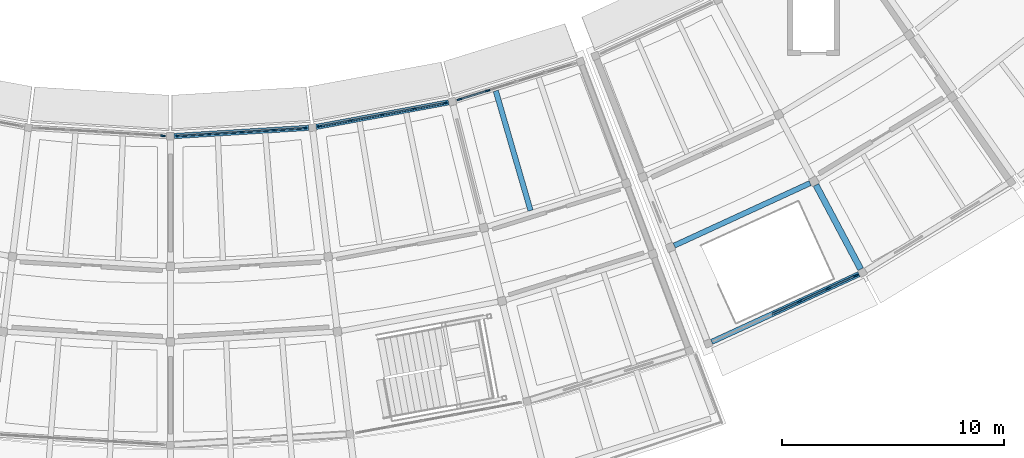
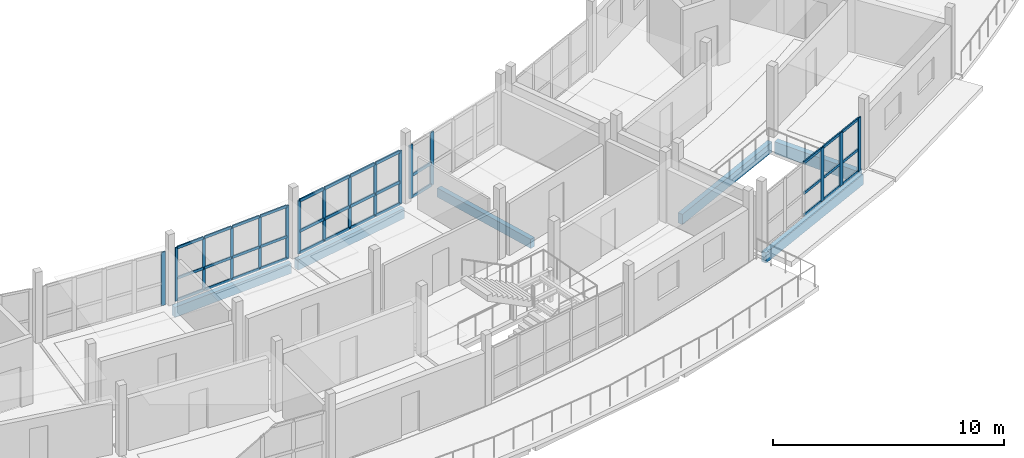
# One storey, part 12 of 24: 51 members, 6 beams, 5 elements without a shape of their own.
"""IFC4 building model written with IfcOpenShell, lengths in metres."""

from ifc_helpers import new_model, si_unit, direction, frame, origin, origin_2d, place, context, subcontext, project, spatial, rectangle, extrude, material, layer, layer_set, material_profile, profile_set, type_object, element, aggregate, save


model = new_model("IFC4")

# Units and contexts
model_context = context("Model", 3, precision=1e-05, world=origin(), true_north=direction((0.0, 1.0)))
body_context = subcontext(model_context, "Body", "Model", "MODEL_VIEW")
ifc_project = project(units=[si_unit("LENGTHUNIT", "METRE"), si_unit("AREAUNIT", "SQUARE_METRE"), si_unit("VOLUMEUNIT", "CUBIC_METRE"), si_unit("PLANEANGLEUNIT", "RADIAN"), si_unit("MASSUNIT", "GRAM", prefix="KILO")], contexts=[model_context])

# Site, building, storey
site_placement = place(None, origin())
site = spatial("IfcSite", under=ifc_project, at=site_placement, CompositionType="ELEMENT")
building_placement = place(site_placement, origin())
building = spatial("IfcBuilding", under=site, at=building_placement, Name="Caldaven Crescent School", CompositionType="ELEMENT")
storey_placement = place(building_placement, frame((0.0, 0.0, 15.639892578125)))
storey = spatial("IfcBuildingStorey", under=building, at=storey_placement, Name="L04", CompositionType="ELEMENT", Elevation=15.639892578125)

# Beams
ifc_material_1 = material(Name="Glulam MLE24h (GL28h)", Category="wood")
ifc_material_profile_1 = material_profile(ifc_material_1, rectangle(XDim=0.239990234375, YDim=0.5400390625, at=origin_2d()), Name="MLE 240x540")
ifc_profile_set_1 = profile_set([ifc_material_profile_1], Name="Glulam MLE24h (GL28h)")
beam_type_1 = type_object("IfcBeamType", Name="BM-GL54", PredefinedType="BEAM", material=ifc_profile_set_1)
beam_1_placement = place(storey_placement, frame((110.679931640625, 38.631103515625, -0.5), z_axis=(0.908536178151, 0.417806190703, 0.0), x_axis=(-0.417806190703, 0.908536178151, 0.0)))
element("IfcBeam", 1, at=beam_1_placement, inside=storey, type_object=beam_type_1, Name="BMT-V4E-L04-1640", PredefinedType="BEAM", context=body_context, shape_type="SweptSolid", body=[
    extrude(rectangle(XDim=0.239990234375, YDim=0.5400390625, at=origin_2d()), origin(), (0.0, 0.0, 1.0), 6.729248046875),
])
ifc_material_profile_2 = material_profile(ifc_material_1, rectangle(XDim=0.280029296875, YDim=0.6298828125, at=origin_2d()), Name="MLE 280x630")
ifc_profile_set_2 = profile_set([ifc_material_profile_2], Name="Glulam MLE24h (GL28h)")
beam_type_2 = type_object("IfcBeamType", Name="BM-GL63", PredefinedType="BEAM", material=ifc_profile_set_2)
beam_2_placement = place(storey_placement, frame((117.0556640625, 41.3544921875, -0.544921875), z_axis=(0.469475957357, -0.88294525621, 0.0), x_axis=(0.88294525621, 0.469475957357, 0.0)))
element("IfcBeam", 2, at=beam_2_placement, inside=storey, type_object=beam_type_2, Name="BMR-V4E-L04-1631", PredefinedType="BEAM", context=body_context, shape_type="SweptSolid", body=[
    extrude(rectangle(XDim=0.280029296875, YDim=0.6298828125, at=origin_2d()), origin(), (0.0, 0.0, 1.0), 4.284912109375),
])

# Curtain wall, members
ifc_material_2 = material(Name="Anodised aluminium AA 6063-T6 and low-E double glazing", Category="aluminium")
ifc_layer_1 = layer(ifc_material_2, 0.18994140625)
ifc_layer_set_1 = layer_set([ifc_layer_1], Name="Anodised aluminium AA 6063-T6 and low-E double glazing")
curtain_wall_type_1 = type_object("IfcCurtainWallType", Name="CW-SYS2", PredefinedType="NOTDEFINED", material=ifc_layer_set_1)
curtain_wall_1_placement = place(storey_placement, origin())
curtain_wall_1 = element("IfcCurtainWall", 3, at=curtain_wall_1_placement, inside=storey, type_object=curtain_wall_type_1, Name="CW-L04-173", PredefinedType="NOTDEFINED")
ifc_material_3 = material(Name="Anodised aluminium AA 6063-T6", Category="aluminium")
ifc_material_profile_3 = material_profile(ifc_material_3, rectangle(XDim=0.06005859375, YDim=0.14990234375, at=origin_2d()), Name="CWM 60x150")
ifc_profile_set_3 = profile_set([ifc_material_profile_3], Name="Anodised aluminium AA 6063-T6")
member_type_1 = type_object("IfcMemberType", Name="CWM-T1", PredefinedType="MULLION", material=ifc_profile_set_3)
member_1_placement = place(storey_placement, frame((88.329345703125, 43.570068359375, 0.0), z_axis=(0.0, 0.0, 1.0), x_axis=(-0.061049319496, 0.998134750717, 0.0)))
member_1 = element("IfcMember", 4, at=member_1_placement, type_object=member_type_1, Name="CW2 mullion 1", PredefinedType="MULLION", context=body_context, shape_type="SweptSolid", body=[
    extrude(rectangle(XDim=0.06005859375, YDim=0.14990234375, at=origin_2d()), origin(), (0.0, 0.0, 1.0), 2.820068359375),
])
member_2_placement = place(storey_placement, frame((89.747802734375, 43.656982421875, 0.0), z_axis=(0.0, 0.0, 1.0), x_axis=(-0.061049319496, 0.998134750717, 0.0)))
member_2 = element("IfcMember", 5, at=member_2_placement, type_object=member_type_1, Name="CW2 mullion 2", PredefinedType="MULLION", context=body_context, shape_type="SweptSolid", body=[
    extrude(rectangle(XDim=0.06005859375, YDim=0.14990234375, at=origin_2d()), origin(), (0.0, 0.0, 1.0), 2.820068359375),
])
member_3_placement = place(storey_placement, frame((91.196044921875, 43.745361328125, 0.0), z_axis=(0.0, 0.0, 1.0), x_axis=(-0.061049319496, 0.998134750717, 0.0)))
member_3 = element("IfcMember", 6, at=member_3_placement, type_object=member_type_1, Name="CW2 mullion 3", PredefinedType="MULLION", context=body_context, shape_type="SweptSolid", body=[
    extrude(rectangle(XDim=0.06005859375, YDim=0.14990234375, at=origin_2d()), origin(), (0.0, 0.0, 1.0), 2.820068359375),
])
member_4_placement = place(storey_placement, frame((92.644287109375, 43.833984375, 0.0), z_axis=(0.0, 0.0, 1.0), x_axis=(-0.061049319496, 0.998134750717, 0.0)))
member_4 = element("IfcMember", 7, at=member_4_placement, type_object=member_type_1, Name="CW2 mullion 4", PredefinedType="MULLION", context=body_context, shape_type="SweptSolid", body=[
    extrude(rectangle(XDim=0.06005859375, YDim=0.14990234375, at=origin_2d()), origin(), (0.0, 0.0, 1.0), 2.820068359375),
])
member_5_placement = place(storey_placement, frame((94.062744140625, 43.9208984375, 0.0), z_axis=(0.0, 0.0, 1.0), x_axis=(-0.061049319496, 0.998134750717, 0.0)))
member_5 = element("IfcMember", 8, at=member_5_placement, type_object=member_type_1, Name="CW2 mullion 5", PredefinedType="MULLION", context=body_context, shape_type="SweptSolid", body=[
    extrude(rectangle(XDim=0.06005859375, YDim=0.14990234375, at=origin_2d()), origin(), (0.0, 0.0, 1.0), 2.820068359375),
])

ifc_layer_2 = layer(ifc_material_2, 0.2099609375)
ifc_layer_set_2 = layer_set([ifc_layer_2], Name="Anodised aluminium AA 6063-T6 and low-E double glazing")
curtain_wall_type_2 = type_object("IfcCurtainWallType", Name="CW-SYS3", PredefinedType="NOTDEFINED", material=ifc_layer_set_2)
curtain_wall_2_placement = place(storey_placement, origin())
curtain_wall_2 = element("IfcCurtainWall", 9, at=curtain_wall_2_placement, inside=storey, type_object=curtain_wall_type_2, Name="CW-L04-174", PredefinedType="NOTDEFINED")
ifc_material_profile_4 = material_profile(ifc_material_3, rectangle(XDim=0.06494140625, YDim=0.179931640625, at=origin_2d()), Name="CWM 65x180")
ifc_profile_set_4 = profile_set([ifc_material_profile_4], Name="Anodised aluminium AA 6063-T6")
member_type_2 = type_object("IfcMemberType", Name="CWM-T2", PredefinedType="MULLION", material=ifc_profile_set_4)
member_6_placement = place(storey_placement, frame((94.718994140625, 44.00146484375, 0.0), z_axis=(0.0, 0.0, 1.0), x_axis=(-0.182236405836, 0.983254744401, 0.0)))
member_6 = element("IfcMember", 10, at=member_6_placement, type_object=member_type_2, Name="CW3 mullion 1", PredefinedType="MULLION", context=body_context, shape_type="SweptSolid", body=[
    extrude(rectangle(XDim=0.06494140625, YDim=0.179931640625, at=origin_2d()), origin(), (0.0, 0.0, 1.0), 2.820068359375),
])
member_7_placement = place(storey_placement, frame((96.11376953125, 44.260009765625, 0.0), z_axis=(0.0, 0.0, 1.0), x_axis=(-0.182236405836, 0.983254744401, 0.0)))
member_7 = element("IfcMember", 11, at=member_7_placement, type_object=member_type_2, Name="CW3 mullion 2", PredefinedType="MULLION", context=body_context, shape_type="SweptSolid", body=[
    extrude(rectangle(XDim=0.06494140625, YDim=0.179931640625, at=origin_2d()), origin(), (0.0, 0.0, 1.0), 2.820068359375),
])
member_8_placement = place(storey_placement, frame((97.54052734375, 44.5244140625, 0.0), z_axis=(0.0, 0.0, 1.0), x_axis=(-0.182236405836, 0.983254744401, 0.0)))
member_8 = element("IfcMember", 12, at=member_8_placement, type_object=member_type_2, Name="CW3 mullion 3", PredefinedType="MULLION", context=body_context, shape_type="SweptSolid", body=[
    extrude(rectangle(XDim=0.06494140625, YDim=0.179931640625, at=origin_2d()), origin(), (0.0, 0.0, 1.0), 2.820068359375),
])
member_9_placement = place(storey_placement, frame((98.967041015625, 44.788818359375, 0.0), z_axis=(0.0, 0.0, 1.0), x_axis=(-0.182236405836, 0.983254744401, 0.0)))
member_9 = element("IfcMember", 13, at=member_9_placement, type_object=member_type_2, Name="CW3 mullion 4", PredefinedType="MULLION", context=body_context, shape_type="SweptSolid", body=[
    extrude(rectangle(XDim=0.06494140625, YDim=0.179931640625, at=origin_2d()), origin(), (0.0, 0.0, 1.0), 2.820068359375),
])
member_10_placement = place(storey_placement, frame((100.36181640625, 45.04736328125, 0.0), z_axis=(0.0, 0.0, 1.0), x_axis=(-0.182236405836, 0.983254744401, 0.0)))
member_10 = element("IfcMember", 14, at=member_10_placement, type_object=member_type_2, Name="CW3 mullion 5", PredefinedType="MULLION", context=body_context, shape_type="SweptSolid", body=[
    extrude(rectangle(XDim=0.06494140625, YDim=0.179931640625, at=origin_2d()), origin(), (0.0, 0.0, 1.0), 2.820068359375),
])

# Curtain wall, member
ifc_layer_3 = layer(ifc_material_2, 0.169921875)
ifc_layer_set_3 = layer_set([ifc_layer_3], Name="Anodised aluminium AA 6063-T6 and low-E double glazing")
curtain_wall_type_3 = type_object("IfcCurtainWallType", Name="CW-SYS1", PredefinedType="NOTDEFINED", material=ifc_layer_set_3)
curtain_wall_3_placement = place(storey_placement, origin())
curtain_wall_3 = element("IfcCurtainWall", 15, at=curtain_wall_3_placement, inside=storey, type_object=curtain_wall_type_3, Name="CW-L04-171", PredefinedType="NOTDEFINED")
ifc_material_profile_5 = material_profile(ifc_material_3, rectangle(XDim=0.070068359375, YDim=0.2099609375, at=origin_2d()), Name="CWM 70x210")
ifc_profile_set_5 = profile_set([ifc_material_profile_5], Name="Anodised aluminium AA 6063-T6")
member_type_3 = type_object("IfcMemberType", Name="CWM-T3", PredefinedType="MULLION", material=ifc_profile_set_5)
member_11_placement = place(storey_placement, frame((87.66552734375, 43.570556640625, 0.0), z_axis=(0.0, 0.0, 1.0), x_axis=(0.061049319496, 0.998134750717, 0.0)))
member_11 = element("IfcMember", 16, at=member_11_placement, type_object=member_type_3, Name="CW1 mullion 5", PredefinedType="MULLION", context=body_context, shape_type="SweptSolid", body=[
    extrude(rectangle(XDim=0.070068359375, YDim=0.2099609375, at=origin_2d()), origin(), (0.0, 0.0, 1.0), 2.820068359375),
])
aggregate(curtain_wall_3, [member_11])

# Curtain wall, members
ifc_layer_4 = layer(ifc_material_2, 0.22998046875)
ifc_layer_set_4 = layer_set([ifc_layer_4], Name="Anodised aluminium AA 6063-T6 and low-E double glazing")
curtain_wall_type_4 = type_object("IfcCurtainWallType", Name="CW-SYS4", PredefinedType="NOTDEFINED", material=ifc_layer_set_4)
curtain_wall_4_placement = place(storey_placement, origin())
curtain_wall_4 = element("IfcCurtainWall", 17, at=curtain_wall_4_placement, inside=storey, type_object=curtain_wall_type_4, Name="CW-L04-176", PredefinedType="NOTDEFINED")
member_12_placement = place(storey_placement, frame((101.008544921875, 45.20751953125, 0.0), z_axis=(0.0, 0.0, 1.0), x_axis=(-0.297419758694, 0.954746818344, 0.0)))
member_12 = element("IfcMember", 18, at=member_12_placement, type_object=member_type_3, Name="CW4 mullion 1", PredefinedType="MULLION", context=body_context, shape_type="SweptSolid", body=[
    extrude(rectangle(XDim=0.070068359375, YDim=0.2099609375, at=origin_2d()), origin(), (0.0, 0.0, 1.0), 2.820068359375),
])
member_13_placement = place(storey_placement, frame((102.2744140625, 45.60205078125, 0.0), z_axis=(0.0, 0.0, 1.0), x_axis=(-0.297419758694, 0.954746818344, 0.0)))
member_13 = element("IfcMember", 19, at=member_13_placement, type_object=member_type_3, Name="CW4 mullion 2", PredefinedType="MULLION", context=body_context, shape_type="SweptSolid", body=[
    extrude(rectangle(XDim=0.070068359375, YDim=0.2099609375, at=origin_2d()), origin(), (0.0, 0.0, 1.0), 2.820068359375),
])

curtain_wall_5_placement = place(storey_placement, origin())
curtain_wall_5 = element("IfcCurtainWall", 20, at=curtain_wall_5_placement, inside=storey, type_object=curtain_wall_type_2, Name="CW-L04-178", PredefinedType="NOTDEFINED")
member_14_placement = place(storey_placement, frame((116.316650390625, 36.113525390625, 0.0), z_axis=(0.0, 0.0, 1.0), x_axis=(-0.417823271449, 0.908528323078, 0.0)))
member_14 = element("IfcMember", 21, at=member_14_placement, type_object=member_type_3, Name="CW3 mullion 4", PredefinedType="MULLION", context=body_context, shape_type="SweptSolid", body=[
    extrude(rectangle(XDim=0.070068359375, YDim=0.2099609375, at=origin_2d()), origin(), (0.0, 0.0, 1.0), 2.820068359375),
])
member_15_placement = place(storey_placement, frame((117.5966796875, 36.702392578125, 0.0), z_axis=(0.0, 0.0, 1.0), x_axis=(-0.417823271449, 0.908528323078, 0.0)))
member_15 = element("IfcMember", 22, at=member_15_placement, type_object=member_type_3, Name="CW3 mullion 5", PredefinedType="MULLION", context=body_context, shape_type="SweptSolid", body=[
    extrude(rectangle(XDim=0.070068359375, YDim=0.2099609375, at=origin_2d()), origin(), (0.0, 0.0, 1.0), 2.820068359375),
])
member_16_placement = place(storey_placement, frame((118.844970703125, 37.2763671875, 0.0), z_axis=(0.0, 0.0, 1.0), x_axis=(-0.417823271449, 0.908528323078, 0.0)))
member_16 = element("IfcMember", 23, at=member_16_placement, type_object=member_type_3, Name="CW3 mullion 6", PredefinedType="MULLION", context=body_context, shape_type="SweptSolid", body=[
    extrude(rectangle(XDim=0.070068359375, YDim=0.2099609375, at=origin_2d()), origin(), (0.0, 0.0, 1.0), 2.820068359375),
])

# Member
ifc_material_profile_6 = material_profile(ifc_material_3, rectangle(XDim=0.06494140625, YDim=0.139892578125, at=origin_2d()), Name="CWT 65x140")
ifc_profile_set_6 = profile_set([ifc_material_profile_6], Name="Anodised aluminium AA 6063-T6")
member_type_4 = type_object("IfcMemberType", Name="CWT-T2", PredefinedType="USERDEFINED", material=ifc_profile_set_6)
member_17_placement = place(storey_placement, frame((88.359375, 43.572021484375, 0.03271484375), z_axis=(0.998138172654, 0.06099334628, 0.0), x_axis=(-0.06099334628, 0.998138172654, 0.0)))
member_17 = element("IfcMember", 24, at=member_17_placement, type_object=member_type_4, Name="CW2 transom 1.1", ObjectType="TRANSOM", PredefinedType="USERDEFINED", context=body_context, shape_type="SweptSolid", body=[
    extrude(rectangle(XDim=0.06494140625, YDim=0.139892578125, at=origin_2d()), origin(), (0.0, 0.0, 1.0), 1.36083984375),
])

member_18_placement = place(storey_placement, frame((88.359375, 43.572021484375, 1.18408203125), z_axis=(0.998138172654, 0.06099334628, 0.0), x_axis=(-0.06099334628, 0.998138172654, 0.0)))
member_18 = element("IfcMember", 25, at=member_18_placement, type_object=member_type_4, Name="CW2 transom 1.2", ObjectType="TRANSOM", PredefinedType="USERDEFINED", context=body_context, shape_type="SweptSolid", body=[
    extrude(rectangle(XDim=0.06494140625, YDim=0.139892578125, at=origin_2d()), origin(), (0.0, 0.0, 1.0), 1.36083984375),
])

member_19_placement = place(storey_placement, frame((88.359375, 43.572021484375, 2.78759765625), z_axis=(0.998138172654, 0.06099334628, 0.0), x_axis=(-0.06099334628, 0.998138172654, 0.0)))
member_19 = element("IfcMember", 26, at=member_19_placement, type_object=member_type_4, Name="CW2 transom 1.3", ObjectType="TRANSOM", PredefinedType="USERDEFINED", context=body_context, shape_type="SweptSolid", body=[
    extrude(rectangle(XDim=0.06494140625, YDim=0.139892578125, at=origin_2d()), origin(), (0.0, 0.0, 1.0), 1.36083984375),
])

member_20_placement = place(storey_placement, frame((89.777587890625, 43.65869140625, 0.03271484375), z_axis=(0.998132999358, 0.061077946857, 0.0), x_axis=(-0.061077946857, 0.998132999358, 0.0)))
member_20 = element("IfcMember", 27, at=member_20_placement, type_object=member_type_4, Name="CW2 transom 2.1", ObjectType="TRANSOM", PredefinedType="USERDEFINED", context=body_context, shape_type="SweptSolid", body=[
    extrude(rectangle(XDim=0.06494140625, YDim=0.139892578125, at=origin_2d()), origin(), (0.0, 0.0, 1.0), 1.39111328125),
])

member_21_placement = place(storey_placement, frame((89.777587890625, 43.65869140625, 1.18408203125), z_axis=(0.998132999358, 0.061077946857, 0.0), x_axis=(-0.061077946857, 0.998132999358, 0.0)))
member_21 = element("IfcMember", 28, at=member_21_placement, type_object=member_type_4, Name="CW2 transom 2.2", ObjectType="TRANSOM", PredefinedType="USERDEFINED", context=body_context, shape_type="SweptSolid", body=[
    extrude(rectangle(XDim=0.06494140625, YDim=0.139892578125, at=origin_2d()), origin(), (0.0, 0.0, 1.0), 1.39111328125),
])

member_22_placement = place(storey_placement, frame((89.777587890625, 43.65869140625, 2.78759765625), z_axis=(0.998132999358, 0.061077946857, 0.0), x_axis=(-0.061077946857, 0.998132999358, 0.0)))
member_22 = element("IfcMember", 29, at=member_22_placement, type_object=member_type_4, Name="CW2 transom 2.3", ObjectType="TRANSOM", PredefinedType="USERDEFINED", context=body_context, shape_type="SweptSolid", body=[
    extrude(rectangle(XDim=0.06494140625, YDim=0.139892578125, at=origin_2d()), origin(), (0.0, 0.0, 1.0), 1.39111328125),
])

member_23_placement = place(storey_placement, frame((91.22607421875, 43.747314453125, 0.03271484375), z_axis=(0.998132344438, 0.061088648587, 0.0), x_axis=(-0.061088648587, 0.998132344438, 0.0)))
member_23 = element("IfcMember", 30, at=member_23_placement, type_object=member_type_4, Name="CW2 transom 3.1", ObjectType="TRANSOM", PredefinedType="USERDEFINED", context=body_context, shape_type="SweptSolid", body=[
    extrude(rectangle(XDim=0.06494140625, YDim=0.139892578125, at=origin_2d()), origin(), (0.0, 0.0, 1.0), 1.390869140625),
])

member_24_placement = place(storey_placement, frame((91.22607421875, 43.747314453125, 1.18408203125), z_axis=(0.998132344438, 0.061088648587, 0.0), x_axis=(-0.061088648587, 0.998132344438, 0.0)))
member_24 = element("IfcMember", 31, at=member_24_placement, type_object=member_type_4, Name="CW2 transom 3.2", ObjectType="TRANSOM", PredefinedType="USERDEFINED", context=body_context, shape_type="SweptSolid", body=[
    extrude(rectangle(XDim=0.06494140625, YDim=0.139892578125, at=origin_2d()), origin(), (0.0, 0.0, 1.0), 1.390869140625),
])

member_25_placement = place(storey_placement, frame((91.22607421875, 43.747314453125, 2.78759765625), z_axis=(0.998132344438, 0.061088648587, 0.0), x_axis=(-0.061088648587, 0.998132344438, 0.0)))
member_25 = element("IfcMember", 32, at=member_25_placement, type_object=member_type_4, Name="CW2 transom 3.3", ObjectType="TRANSOM", PredefinedType="USERDEFINED", context=body_context, shape_type="SweptSolid", body=[
    extrude(rectangle(XDim=0.06494140625, YDim=0.139892578125, at=origin_2d()), origin(), (0.0, 0.0, 1.0), 1.390869140625),
])

member_26_placement = place(storey_placement, frame((92.67431640625, 43.8359375, 0.03271484375), z_axis=(0.998138172654, 0.06099334628, 0.0), x_axis=(-0.06099334628, 0.998138172654, 0.0)))
member_26 = element("IfcMember", 33, at=member_26_placement, type_object=member_type_4, Name="CW2 transom 4.1", ObjectType="TRANSOM", PredefinedType="USERDEFINED", context=body_context, shape_type="SweptSolid", body=[
    extrude(rectangle(XDim=0.06494140625, YDim=0.139892578125, at=origin_2d()), origin(), (0.0, 0.0, 1.0), 1.36083984375),
])

member_27_placement = place(storey_placement, frame((92.67431640625, 43.8359375, 1.18408203125), z_axis=(0.998138172654, 0.06099334628, 0.0), x_axis=(-0.06099334628, 0.998138172654, 0.0)))
member_27 = element("IfcMember", 34, at=member_27_placement, type_object=member_type_4, Name="CW2 transom 4.2", ObjectType="TRANSOM", PredefinedType="USERDEFINED", context=body_context, shape_type="SweptSolid", body=[
    extrude(rectangle(XDim=0.06494140625, YDim=0.139892578125, at=origin_2d()), origin(), (0.0, 0.0, 1.0), 1.36083984375),
])

member_28_placement = place(storey_placement, frame((92.67431640625, 43.8359375, 2.78759765625), z_axis=(0.998138172654, 0.06099334628, 0.0), x_axis=(-0.06099334628, 0.998138172654, 0.0)))
member_28 = element("IfcMember", 35, at=member_28_placement, type_object=member_type_4, Name="CW2 transom 4.3", ObjectType="TRANSOM", PredefinedType="USERDEFINED", context=body_context, shape_type="SweptSolid", body=[
    extrude(rectangle(XDim=0.06494140625, YDim=0.139892578125, at=origin_2d()), origin(), (0.0, 0.0, 1.0), 1.36083984375),
])

aggregate(curtain_wall_1, [member_1, member_2, member_3, member_4, member_5, member_17, member_18, member_19, member_20, member_21, member_22, member_23, member_24, member_25, member_26, member_27, member_28])

member_29_placement = place(storey_placement, frame((115.068359375, 35.53955078125, 0.03271484375), z_axis=(0.908502911944, 0.417878521809, 0.0), x_axis=(-0.417878521809, 0.908502911944, 0.0)))
member_29 = element("IfcMember", 36, at=member_29_placement, type_object=member_type_4, Name="CW3 transom 3.1", ObjectType="TRANSOM", PredefinedType="USERDEFINED", context=body_context, shape_type="SweptSolid", body=[
    extrude(rectangle(XDim=0.06494140625, YDim=0.139892578125, at=origin_2d()), origin(), (0.0, 0.0, 1.0), 1.339111328125),
])

member_30_placement = place(storey_placement, frame((115.068359375, 35.53955078125, 1.18408203125), z_axis=(0.908502911944, 0.417878521809, 0.0), x_axis=(-0.417878521809, 0.908502911944, 0.0)))
member_30 = element("IfcMember", 37, at=member_30_placement, type_object=member_type_4, Name="CW3 transom 3.2", ObjectType="TRANSOM", PredefinedType="USERDEFINED", context=body_context, shape_type="SweptSolid", body=[
    extrude(rectangle(XDim=0.06494140625, YDim=0.139892578125, at=origin_2d()), origin(), (0.0, 0.0, 1.0), 1.339111328125),
])

member_31_placement = place(storey_placement, frame((115.068359375, 35.53955078125, 2.78759765625), z_axis=(0.908502911944, 0.417878521809, 0.0), x_axis=(-0.417878521809, 0.908502911944, 0.0)))
member_31 = element("IfcMember", 38, at=member_31_placement, type_object=member_type_4, Name="CW3 transom 3.3", ObjectType="TRANSOM", PredefinedType="USERDEFINED", context=body_context, shape_type="SweptSolid", body=[
    extrude(rectangle(XDim=0.06494140625, YDim=0.139892578125, at=origin_2d()), origin(), (0.0, 0.0, 1.0), 1.339111328125),
])

member_32_placement = place(storey_placement, frame((116.348388671875, 36.128173828125, 0.03271484375), z_axis=(0.908502911944, 0.417878521809, 0.0), x_axis=(-0.417878521809, 0.908502911944, 0.0)))
member_32 = element("IfcMember", 39, at=member_32_placement, type_object=member_type_4, Name="CW3 transom 4.1", ObjectType="TRANSOM", PredefinedType="USERDEFINED", context=body_context, shape_type="SweptSolid", body=[
    extrude(rectangle(XDim=0.06494140625, YDim=0.139892578125, at=origin_2d()), origin(), (0.0, 0.0, 1.0), 1.339111328125),
])

member_33_placement = place(storey_placement, frame((116.348388671875, 36.128173828125, 1.18408203125), z_axis=(0.908502911944, 0.417878521809, 0.0), x_axis=(-0.417878521809, 0.908502911944, 0.0)))
member_33 = element("IfcMember", 40, at=member_33_placement, type_object=member_type_4, Name="CW3 transom 4.2", ObjectType="TRANSOM", PredefinedType="USERDEFINED", context=body_context, shape_type="SweptSolid", body=[
    extrude(rectangle(XDim=0.06494140625, YDim=0.139892578125, at=origin_2d()), origin(), (0.0, 0.0, 1.0), 1.339111328125),
])

member_34_placement = place(storey_placement, frame((116.348388671875, 36.128173828125, 2.78759765625), z_axis=(0.908502911944, 0.417878521809, 0.0), x_axis=(-0.417878521809, 0.908502911944, 0.0)))
member_34 = element("IfcMember", 41, at=member_34_placement, type_object=member_type_4, Name="CW3 transom 4.3", ObjectType="TRANSOM", PredefinedType="USERDEFINED", context=body_context, shape_type="SweptSolid", body=[
    extrude(rectangle(XDim=0.06494140625, YDim=0.139892578125, at=origin_2d()), origin(), (0.0, 0.0, 1.0), 1.339111328125),
])

member_35_placement = place(storey_placement, frame((117.628662109375, 36.717041015625, 0.03271484375), z_axis=(0.908555847498, 0.417763416275, 0.0), x_axis=(-0.417763416275, 0.908555847498, 0.0)))
member_35 = element("IfcMember", 42, at=member_35_placement, type_object=member_type_4, Name="CW3 transom 5.1", ObjectType="TRANSOM", PredefinedType="USERDEFINED", context=body_context, shape_type="SweptSolid", body=[
    extrude(rectangle(XDim=0.06494140625, YDim=0.139892578125, at=origin_2d()), origin(), (0.0, 0.0, 1.0), 1.3037109375),
])

member_36_placement = place(storey_placement, frame((117.628662109375, 36.717041015625, 1.18408203125), z_axis=(0.908555847498, 0.417763416275, 0.0), x_axis=(-0.417763416275, 0.908555847498, 0.0)))
member_36 = element("IfcMember", 43, at=member_36_placement, type_object=member_type_4, Name="CW3 transom 5.2", ObjectType="TRANSOM", PredefinedType="USERDEFINED", context=body_context, shape_type="SweptSolid", body=[
    extrude(rectangle(XDim=0.06494140625, YDim=0.139892578125, at=origin_2d()), origin(), (0.0, 0.0, 1.0), 1.3037109375),
])

member_37_placement = place(storey_placement, frame((117.628662109375, 36.717041015625, 2.78759765625), z_axis=(0.908555847498, 0.417763416275, 0.0), x_axis=(-0.417763416275, 0.908555847498, 0.0)))
member_37 = element("IfcMember", 44, at=member_37_placement, type_object=member_type_4, Name="CW3 transom 5.3", ObjectType="TRANSOM", PredefinedType="USERDEFINED", context=body_context, shape_type="SweptSolid", body=[
    extrude(rectangle(XDim=0.06494140625, YDim=0.139892578125, at=origin_2d()), origin(), (0.0, 0.0, 1.0), 1.3037109375),
])

aggregate(curtain_wall_5, [member_14, member_15, member_16, member_29, member_30, member_31, member_32, member_33, member_34, member_35, member_36, member_37])

ifc_material_profile_7 = material_profile(ifc_material_3, rectangle(XDim=0.070068359375, YDim=0.159912109375, at=origin_2d()), Name="CWT 70x160")
ifc_profile_set_7 = profile_set([ifc_material_profile_7], Name="Anodised aluminium AA 6063-T6")
member_type_5 = type_object("IfcMemberType", Name="CWT-T3", PredefinedType="USERDEFINED", material=ifc_profile_set_7)
member_38_placement = place(storey_placement, frame((94.7509765625, 44.007568359375, 0.03515625), z_axis=(0.983264057672, 0.182186149009, 0.0), x_axis=(-0.182186149009, 0.983264057672, 0.0)))
member_38 = element("IfcMember", 45, at=member_38_placement, type_object=member_type_5, Name="CW3 transom 1.1", ObjectType="TRANSOM", PredefinedType="USERDEFINED", context=body_context, shape_type="SweptSolid", body=[
    extrude(rectangle(XDim=0.070068359375, YDim=0.159912109375, at=origin_2d()), origin(), (0.0, 0.0, 1.0), 1.353515625),
])

member_39_placement = place(storey_placement, frame((94.7509765625, 44.007568359375, 1.18408203125), z_axis=(0.983264057672, 0.182186149009, 0.0), x_axis=(-0.182186149009, 0.983264057672, 0.0)))
member_39 = element("IfcMember", 46, at=member_39_placement, type_object=member_type_5, Name="CW3 transom 1.2", ObjectType="TRANSOM", PredefinedType="USERDEFINED", context=body_context, shape_type="SweptSolid", body=[
    extrude(rectangle(XDim=0.070068359375, YDim=0.159912109375, at=origin_2d()), origin(), (0.0, 0.0, 1.0), 1.353515625),
])

member_40_placement = place(storey_placement, frame((94.7509765625, 44.007568359375, 2.78515625), z_axis=(0.983264057672, 0.182186149009, 0.0), x_axis=(-0.182186149009, 0.983264057672, 0.0)))
member_40 = element("IfcMember", 47, at=member_40_placement, type_object=member_type_5, Name="CW3 transom 1.3", ObjectType="TRANSOM", PredefinedType="USERDEFINED", context=body_context, shape_type="SweptSolid", body=[
    extrude(rectangle(XDim=0.070068359375, YDim=0.159912109375, at=origin_2d()), origin(), (0.0, 0.0, 1.0), 1.353515625),
])

member_41_placement = place(storey_placement, frame((96.145751953125, 44.265869140625, 0.03515625), z_axis=(0.983241097753, 0.182310020812, 0.0), x_axis=(-0.182310020812, 0.983241097753, 0.0)))
member_41 = element("IfcMember", 48, at=member_41_placement, type_object=member_type_5, Name="CW3 transom 2.1", ObjectType="TRANSOM", PredefinedType="USERDEFINED", context=body_context, shape_type="SweptSolid", body=[
    extrude(rectangle(XDim=0.070068359375, YDim=0.159912109375, at=origin_2d()), origin(), (0.0, 0.0, 1.0), 1.385986328125),
])

member_42_placement = place(storey_placement, frame((96.145751953125, 44.265869140625, 1.18408203125), z_axis=(0.983241097753, 0.182310020812, 0.0), x_axis=(-0.182310020812, 0.983241097753, 0.0)))
member_42 = element("IfcMember", 49, at=member_42_placement, type_object=member_type_5, Name="CW3 transom 2.2", ObjectType="TRANSOM", PredefinedType="USERDEFINED", context=body_context, shape_type="SweptSolid", body=[
    extrude(rectangle(XDim=0.070068359375, YDim=0.159912109375, at=origin_2d()), origin(), (0.0, 0.0, 1.0), 1.385986328125),
])

member_43_placement = place(storey_placement, frame((96.145751953125, 44.265869140625, 2.78515625), z_axis=(0.983241097753, 0.182310020812, 0.0), x_axis=(-0.182310020812, 0.983241097753, 0.0)))
member_43 = element("IfcMember", 50, at=member_43_placement, type_object=member_type_5, Name="CW3 transom 2.3", ObjectType="TRANSOM", PredefinedType="USERDEFINED", context=body_context, shape_type="SweptSolid", body=[
    extrude(rectangle(XDim=0.070068359375, YDim=0.159912109375, at=origin_2d()), origin(), (0.0, 0.0, 1.0), 1.385986328125),
])

member_44_placement = place(storey_placement, frame((97.572265625, 44.5302734375, 0.03515625), z_axis=(0.983241097753, 0.182310020812, 0.0), x_axis=(-0.182310020812, 0.983241097753, 0.0)))
member_44 = element("IfcMember", 51, at=member_44_placement, type_object=member_type_5, Name="CW3 transom 3.1", ObjectType="TRANSOM", PredefinedType="USERDEFINED", context=body_context, shape_type="SweptSolid", body=[
    extrude(rectangle(XDim=0.070068359375, YDim=0.159912109375, at=origin_2d()), origin(), (0.0, 0.0, 1.0), 1.385986328125),
])

member_45_placement = place(storey_placement, frame((97.572265625, 44.5302734375, 1.18408203125), z_axis=(0.983241097753, 0.182310020812, 0.0), x_axis=(-0.182310020812, 0.983241097753, 0.0)))
member_45 = element("IfcMember", 52, at=member_45_placement, type_object=member_type_5, Name="CW3 transom 3.2", ObjectType="TRANSOM", PredefinedType="USERDEFINED", context=body_context, shape_type="SweptSolid", body=[
    extrude(rectangle(XDim=0.070068359375, YDim=0.159912109375, at=origin_2d()), origin(), (0.0, 0.0, 1.0), 1.385986328125),
])

member_46_placement = place(storey_placement, frame((97.572265625, 44.5302734375, 2.78515625), z_axis=(0.983241097753, 0.182310020812, 0.0), x_axis=(-0.182310020812, 0.983241097753, 0.0)))
member_46 = element("IfcMember", 53, at=member_46_placement, type_object=member_type_5, Name="CW3 transom 3.3", ObjectType="TRANSOM", PredefinedType="USERDEFINED", context=body_context, shape_type="SweptSolid", body=[
    extrude(rectangle(XDim=0.070068359375, YDim=0.159912109375, at=origin_2d()), origin(), (0.0, 0.0, 1.0), 1.385986328125),
])

member_47_placement = place(storey_placement, frame((98.9990234375, 44.794921875, 0.03515625), z_axis=(0.983264057672, 0.182186149009, 0.0), x_axis=(-0.182186149009, 0.983264057672, 0.0)))
member_47 = element("IfcMember", 54, at=member_47_placement, type_object=member_type_5, Name="CW3 transom 4.1", ObjectType="TRANSOM", PredefinedType="USERDEFINED", context=body_context, shape_type="SweptSolid", body=[
    extrude(rectangle(XDim=0.070068359375, YDim=0.159912109375, at=origin_2d()), origin(), (0.0, 0.0, 1.0), 1.353515625),
])

member_48_placement = place(storey_placement, frame((98.9990234375, 44.794921875, 1.18408203125), z_axis=(0.983264057672, 0.182186149009, 0.0), x_axis=(-0.182186149009, 0.983264057672, 0.0)))
member_48 = element("IfcMember", 55, at=member_48_placement, type_object=member_type_5, Name="CW3 transom 4.2", ObjectType="TRANSOM", PredefinedType="USERDEFINED", context=body_context, shape_type="SweptSolid", body=[
    extrude(rectangle(XDim=0.070068359375, YDim=0.159912109375, at=origin_2d()), origin(), (0.0, 0.0, 1.0), 1.353515625),
])

member_49_placement = place(storey_placement, frame((98.9990234375, 44.794921875, 2.78515625), z_axis=(0.983264057672, 0.182186149009, 0.0), x_axis=(-0.182186149009, 0.983264057672, 0.0)))
member_49 = element("IfcMember", 56, at=member_49_placement, type_object=member_type_5, Name="CW3 transom 4.3", ObjectType="TRANSOM", PredefinedType="USERDEFINED", context=body_context, shape_type="SweptSolid", body=[
    extrude(rectangle(XDim=0.070068359375, YDim=0.159912109375, at=origin_2d()), origin(), (0.0, 0.0, 1.0), 1.353515625),
])

aggregate(curtain_wall_2, [member_6, member_7, member_8, member_9, member_10, member_38, member_39, member_40, member_41, member_42, member_43, member_44, member_45, member_46, member_47, member_48, member_49])

member_50_placement = place(storey_placement, frame((101.0419921875, 45.218017578125, 0.03515625), z_axis=(0.954756253786, 0.297389468301, 0.0), x_axis=(-0.297389468301, 0.954756253786, 0.0)))
member_50 = element("IfcMember", 57, at=member_50_placement, type_object=member_type_5, Name="CW4 transom 1.1", ObjectType="TRANSOM", PredefinedType="USERDEFINED", context=body_context, shape_type="SweptSolid", body=[
    extrude(rectangle(XDim=0.070068359375, YDim=0.159912109375, at=origin_2d()), origin(), (0.0, 0.0, 1.0), 1.256103515625),
])

member_51_placement = place(storey_placement, frame((101.0419921875, 45.218017578125, 1.18408203125), z_axis=(0.954756253786, 0.297389468301, 0.0), x_axis=(-0.297389468301, 0.954756253786, 0.0)))
member_51 = element("IfcMember", 58, at=member_51_placement, type_object=member_type_5, Name="CW4 transom 1.2", ObjectType="TRANSOM", PredefinedType="USERDEFINED", context=body_context, shape_type="SweptSolid", body=[
    extrude(rectangle(XDim=0.070068359375, YDim=0.159912109375, at=origin_2d()), origin(), (0.0, 0.0, 1.0), 1.256103515625),
])

aggregate(curtain_wall_4, [member_12, member_13, member_50, member_51])

# Beams
ifc_material_profile_8 = material_profile(ifc_material_1, rectangle(XDim=0.239990234375, YDim=0.47998046875, at=origin_2d()), Name="MLE 240x480")
ifc_profile_set_8 = profile_set([ifc_material_profile_8], Name="Glulam MLE24h (GL28h)")
beam_type_3 = type_object("IfcBeamType", Name="JS-GL48", PredefinedType="JOIST", material=ifc_profile_set_8)
beam_3_placement = place(storey_placement, frame((102.644287109375, 45.5966796875, -0.469970703125), z_axis=(0.278982349026, -0.960296229781, 0.0), x_axis=(0.960296229781, 0.278982349026, 0.0)))
element("IfcBeam", 59, at=beam_3_placement, inside=storey, type_object=beam_type_3, Name="JSR-V5-L04-1622", PredefinedType="JOIST", context=body_context, shape_type="SweptSolid", body=[
    extrude(rectangle(XDim=0.239990234375, YDim=0.47998046875, at=origin_2d()), origin(), (0.0, 0.0, 1.0), 5.611328125),
])
ifc_material_profile_9 = material_profile(ifc_material_1, rectangle(XDim=0.239990234375, YDim=0.5400390625, at=origin_2d()), Name="MLE 240x540")
ifc_profile_set_9 = profile_set([ifc_material_profile_9], Name="Glulam MLE24h (GL28h)")
beam_type_4 = type_object("IfcBeamType", Name="SP-GL54", PredefinedType="SPANDREL", material=ifc_profile_set_9)
for number, where, z_axis, x_axis, name in (
    (60, (88.174560546875, 43.560791015625, -0.5), (0.998136852205, 0.061014951209, 0.0), (-0.061014951209, 0.998136852205, 0.0), "BMT-V5-L04-1602"),
    (61, (94.564208984375, 43.972900390625, -0.5), (0.983254449388, 0.182237997571, 0.0), (-0.182237997571, 0.983254449388, 0.0), "BMT-V5-L04-1611"),
):
    element("IfcBeam", number, at=place(storey_placement, frame(where, z_axis=z_axis, x_axis=x_axis)), inside=storey, type_object=beam_type_4, Name=name, PredefinedType="SPANDREL", context=body_context, shape_type="SweptSolid", body=[
        extrude(rectangle(XDim=0.239990234375, YDim=0.5400390625, at=origin_2d()), origin(), (0.0, 0.0, 1.0), 6.053955078125),
    ])
beam_4_placement = place(storey_placement, frame((112.362548828125, 34.295166015625, -0.5), z_axis=(0.90852958236, 0.417820533216, 0.0), x_axis=(-0.417820533216, 0.90852958236, 0.0)))
element("IfcBeam", 62, at=beam_4_placement, inside=storey, type_object=beam_type_4, Name="BMT-V4E-L04-1641", PredefinedType="SPANDREL", context=body_context, shape_type="SweptSolid", body=[
    extrude(rectangle(XDim=0.239990234375, YDim=0.5400390625, at=origin_2d()), origin(), (0.0, 0.0, 1.0), 7.295166015625),
])

save(model, "model.ifc")
